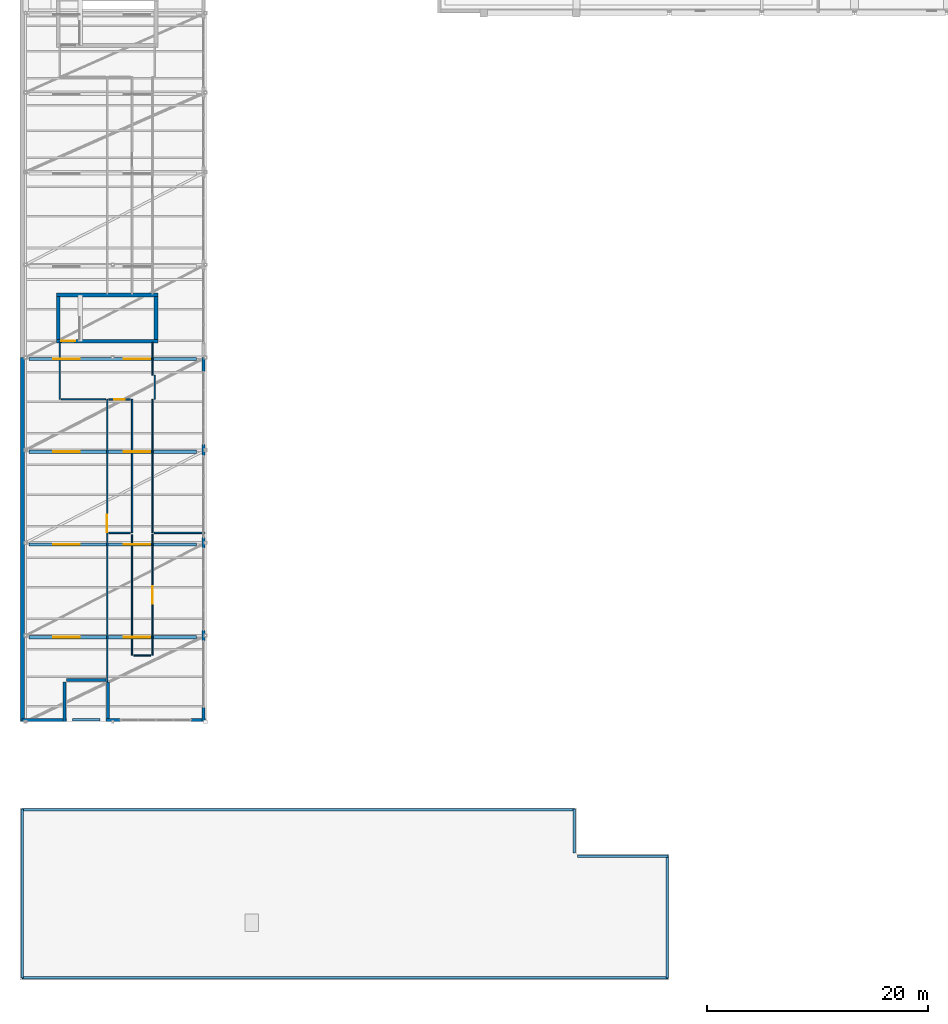
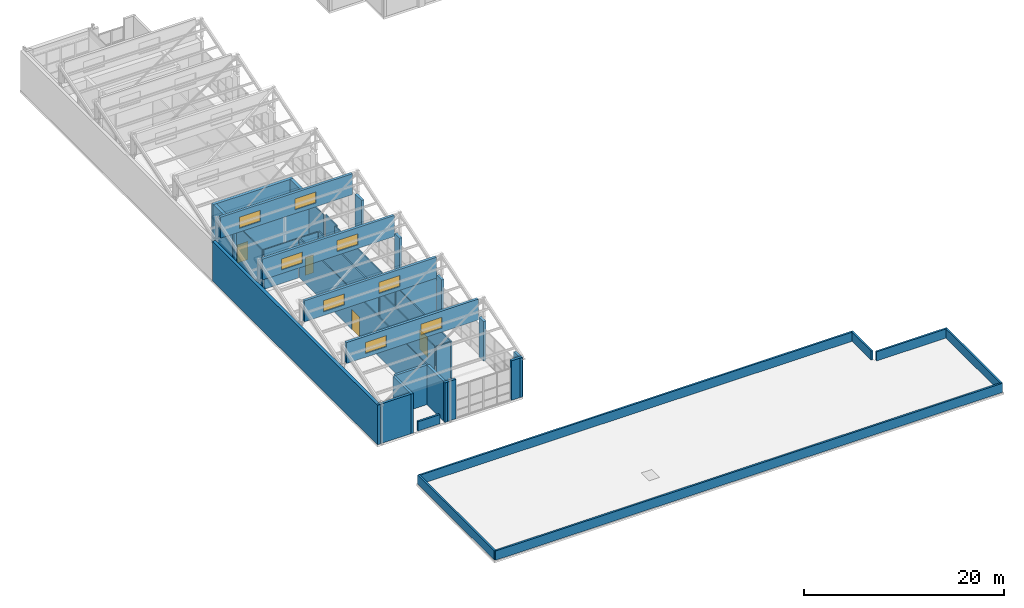
# One storey, part 26 of 34: 40 walls, 8 windows, 4 doors, 12 openings.
"""IFC4 building model written with IfcOpenShell, lengths in metres."""

from ifc_helpers import new_model, si_unit, direction, frame, frame_2d, origin, place, context, subcontext, project, spatial, rectangle, extrude, material, layer, layer_set, type_object, element, fill, save


model = new_model("IFC4")

# Units and contexts
model_context = context("Model", 3, precision=1e-05, world=origin(), true_north=direction((0.0, 1.0)))
body_context = subcontext(model_context, "Body", "Model", "MODEL_VIEW")
ifc_project = project(units=[si_unit("LENGTHUNIT", "METRE"), si_unit("AREAUNIT", "SQUARE_METRE"), si_unit("VOLUMEUNIT", "CUBIC_METRE"), si_unit("PLANEANGLEUNIT", "RADIAN"), si_unit("MASSUNIT", "GRAM", prefix="KILO")], contexts=[model_context])

# Site, building, storey
site_placement = place(None, origin())
site = spatial("IfcSite", under=ifc_project, at=site_placement, CompositionType="ELEMENT")
building_placement = place(site_placement, origin())
building = spatial("IfcBuilding", under=site, at=building_placement, Name="Quendrovan Civic Courthouse", CompositionType="ELEMENT")
storey_placement = place(building_placement, frame((0.0, 0.0, 25.5)))
storey = spatial("IfcBuildingStorey", under=building, at=storey_placement, Name="L06", CompositionType="ELEMENT", Elevation=25.5)

# Wall
ifc_material_1 = material(Name="Acoustic gypsum stud partition")
ifc_layer_1 = layer(ifc_material_1, 0.139892578125, Name="Acoustic gypsum stud partition")
ifc_layer_set_1 = layer_set([ifc_layer_1], Name="Acoustic gypsum stud partition")
wall_type_1 = type_object("IfcWallType", Name="WL-CHM-140", PredefinedType="PARTITIONING", material=ifc_layer_set_1)
wall_1_placement = place(storey_placement, frame((10.14990234375, 52.60009765625, 0.0), z_axis=(0.0, 0.0, 1.0), x_axis=(0.0, -1.0, 0.0)))
element("IfcWall", 1, at=wall_1_placement, inside=storey, type_object=wall_type_1, Name="L06 Family Social Services Suite Partition 0759", PredefinedType="PARTITIONING", context=body_context, shape_type="SweptSolid", body=[
    extrude(rectangle(XDim=12.10009765625, YDim=0.139892578125, at=frame_2d((6.050048828125, 0.0))), origin(), (0.0, 0.0, 1.0), 4.820068359375),
])

# Wall, opening, door
wall_2_placement = place(storey_placement, frame((8.0400390625, 52.60009765625, 0.0), z_axis=(0.0, 0.0, 1.0), x_axis=(1.0, 0.0, 0.0)))
wall_2 = element("IfcWall", 2, at=wall_2_placement, inside=storey, type_object=wall_type_1, Name="L06 Family Social Services Suite Partition 0809", PredefinedType="PARTITIONING", context=body_context, shape_type="SweptSolid", body=[
    extrude(rectangle(XDim=1.9599609375, YDim=0.139892578125, at=frame_2d((0.97998046875, 0.0))), origin(), (0.0, 0.0, 1.0), 4.820068359375),
])
opening_1_placement = place(wall_2_placement, frame((0.510009765625, 0.0, 0.0)))
opening_1 = element("IfcOpeningElement", 3, at=opening_1_placement, cuts=wall_2, Name="Opening D-L06-108", PredefinedType="OPENING", context=body_context, shape_type="SweptSolid", body=[
    extrude(rectangle(XDim=0.93994140625, YDim=2.179931640625, at=frame_2d((0.469970703125, 1.08984375))), frame((0.0, 0.080078125, 0.0), z_axis=(0.0, -1.0, 0.0), x_axis=(1.0, 0.0, 0.0)), (0.0, 0.0, 1.0), 0.159912109375),
])
ifc_material_2 = material(Name="Solid core timber office door", Category="wood")
door_type_1 = type_object("IfcDoorType", Name="DR-OFF-940", OperationType="NOTDEFINED", PredefinedType="DOOR", material=ifc_material_2)
door_1_placement = place(opening_1_placement, origin())
door_1 = element("IfcDoor", 4, at=door_1_placement, inside=storey, type_object=door_type_1, Name="L06 Family Social Services Suite Door D-L06-108", OperationType="SINGLE_SWING_LEFT", OverallHeight=2.179931640625, OverallWidth=0.93994140625, PredefinedType="DOOR", context=body_context, shape_type="SweptSolid", body=[
    extrude(rectangle(XDim=0.93994140625, YDim=2.179931640625, at=frame_2d((0.469970703125, 1.08984375))), frame((0.0, 0.02490234375, 0.0), z_axis=(0.0, -1.0, 0.0), x_axis=(1.0, 0.0, 0.0)), (0.0, 0.0, 1.0), 0.050048828125),
])
fill(opening_1, door_1)

ifc_material_3 = material(Name="Concrete C45/55", Category="concrete")
ifc_layer_2 = layer(ifc_material_3, 0.35009765625, Name="Concrete C45/55")
ifc_layer_set_2 = layer_set([ifc_layer_2], Name="Concrete C45/55")
wall_type_2 = type_object("IfcWallType", Name="WL-CORE-350", PredefinedType="SHEAR", material=ifc_layer_set_2)
wall_3_placement = place(storey_placement, frame((3.2900390625, 57.864990234375, 0.0), z_axis=(0.0, 0.0, 1.0), x_axis=(1.0, 0.0, 0.0)))
wall_3 = element("IfcWall", 5, at=wall_3_placement, inside=storey, type_object=wall_type_2, Name="L06 Core Shear Wall ST4-S", PredefinedType="SHEAR", context=body_context, shape_type="SweptSolid", body=[
    extrude(rectangle(XDim=9.219970703125, YDim=0.35009765625, at=frame_2d((4.60986328125, 0.0))), origin(), (0.0, 0.0, 1.0), 4.820068359375),
])
opening_2_placement = place(wall_3_placement, frame((0.449951171875, 0.0, 0.0)))
opening_2 = element("IfcOpeningElement", 6, at=opening_2_placement, cuts=wall_3, Name="Opening DS-ST4-L06", PredefinedType="OPENING", context=body_context, shape_type="SweptSolid", body=[
    extrude(rectangle(XDim=1.25, YDim=2.199951171875, at=frame_2d((0.625, 1.10009765625))), frame((0.0, 0.18505859375, 0.0), z_axis=(0.0, -1.0, 0.0), x_axis=(1.0, 0.0, 0.0)), (0.0, 0.0, 1.0), 0.3701171875),
])
ifc_material_4 = material(Name="Painted galvanized hollow-metal steel", Category="steel")
door_type_2 = type_object("IfcDoorType", Name="DR-STAIR-1250", OperationType="NOTDEFINED", PredefinedType="DOOR", material=ifc_material_4)
door_2_placement = place(opening_2_placement, origin())
door_2 = element("IfcDoor", 7, at=door_2_placement, inside=storey, type_object=door_type_2, Name="L06 Exit Stair ST4 Fire Door", OperationType="SINGLE_SWING_LEFT", OverallHeight=2.199951171875, OverallWidth=1.25, PredefinedType="DOOR", context=body_context, shape_type="SweptSolid", body=[
    extrude(rectangle(XDim=1.25, YDim=2.199951171875, at=frame_2d((0.625, 1.10009765625))), frame((0.0, 0.02490234375, 0.0), z_axis=(0.0, -1.0, 0.0), x_axis=(1.0, 0.0, 0.0)), (0.0, 0.0, 1.0), 0.050048828125),
])
fill(opening_2, door_2)

# Walls
wall_4_placement = place(storey_placement, frame((12.510009765625, 62.034912109375, 0.0), z_axis=(0.0, 0.0, 1.0), x_axis=(-1.0, 0.0, 0.0)))
element("IfcWall", 8, at=wall_4_placement, inside=storey, type_object=wall_type_2, Name="L06 Core Shear Wall ST4-N", PredefinedType="SHEAR", context=body_context, shape_type="SweptSolid", body=[
    extrude(rectangle(XDim=9.219970703125, YDim=0.35009765625, at=frame_2d((4.60986328125, 0.0))), origin(), (0.0, 0.0, 1.0), 4.820068359375),
])
for number, where, z_axis, x_axis, name in (
    (9, (3.465087890625, 58.0, 0.0), (0.0, 0.0, 1.0), (0.0, 1.0, 0.0), "L06 Core Shear Wall ST4-W"),
    (10, (12.3349609375, 61.89990234375, 0.0), (0.0, 0.0, 1.0), (0.0, -1.0, 0.0), "L06 Core Shear Wall ST4-E"),
):
    element("IfcWall", number, at=place(storey_placement, frame(where, z_axis=z_axis, x_axis=x_axis)), inside=storey, type_object=wall_type_2, Name=name, PredefinedType="SHEAR", context=body_context, shape_type="SweptSolid", body=[
        extrude(rectangle(XDim=3.89990234375, YDim=0.35009765625, at=frame_2d((1.949951171875, 0.0))), origin(), (0.0, 0.0, 1.0), 4.820068359375),
    ])
ifc_material_5 = material(Name="Precast concrete C45/55", Category="concrete")
ifc_layer_3 = layer(ifc_material_5, 0.2900390625, Name="Precast concrete C45/55")
ifc_layer_set_3 = layer_set([ifc_layer_3], Name="Precast concrete C45/55")
wall_type_3 = type_object("IfcWallType", Name="WL-EXT-PC290", PredefinedType="SOLIDWALL", material=ifc_layer_set_3)
wall_5_placement = place(storey_placement, frame((16.635009765625, 56.39990234375, 0.0), z_axis=(0.0, 0.0, 1.0), x_axis=(0.0, -1.0, 0.0)))
element("IfcWall", 11, at=wall_5_placement, inside=storey, type_object=wall_type_3, Name="L06 Exterior Pier Wall 480", PredefinedType="SOLIDWALL", context=body_context, shape_type="SweptSolid", body=[
    extrude(rectangle(XDim=1.2998046875, YDim=0.2900390625, at=frame_2d((0.64990234375, 0.0))), origin(), (0.0, 0.0, 1.0), 4.820068359375),
])
wall_6_placement = place(storey_placement, frame((16.635009765625, 48.5, 0.0), z_axis=(0.0, 0.0, 1.0), x_axis=(0.0, -1.0, 0.0)))
element("IfcWall", 12, at=wall_6_placement, inside=storey, type_object=wall_type_3, Name="L06 Exterior Pier Wall 481", PredefinedType="SOLIDWALL", context=body_context, shape_type="SweptSolid", body=[
    extrude(rectangle(XDim=1.0, YDim=0.2900390625, at=frame_2d((0.5, 0.0))), origin(), (0.0, 0.0, 1.0), 4.820068359375),
])
wall_7_placement = place(storey_placement, frame((16.635009765625, 40.08642578125, 0.0), z_axis=(0.0, 0.0, 1.0), x_axis=(0.0, -1.0, 0.0)))
element("IfcWall", 13, at=wall_7_placement, inside=storey, type_object=wall_type_3, Name="L06 Exterior Pier Wall 482", PredefinedType="SOLIDWALL", context=body_context, shape_type="SweptSolid", body=[
    extrude(rectangle(XDim=0.972900390625, YDim=0.2900390625, at=frame_2d((0.486328125, 0.0))), origin(), (0.0, 0.0, 1.0), 4.820068359375),
])
wall_8_placement = place(storey_placement, frame((16.635009765625, 31.675048828125, 0.0), z_axis=(0.0, 0.0, 1.0), x_axis=(0.0, -1.0, 0.0)))
element("IfcWall", 14, at=wall_8_placement, inside=storey, type_object=wall_type_3, Name="L06 Exterior Pier Wall 483", PredefinedType="SOLIDWALL", context=body_context, shape_type="SweptSolid", body=[
    extrude(rectangle(XDim=0.949951171875, YDim=0.2900390625, at=frame_2d((0.47509765625, 0.0))), origin(), (0.0, 0.0, 1.0), 4.820068359375),
])
for number, where, z_axis, x_axis, name in (
    (15, (16.635009765625, 24.699951171875, 0.0), (0.0, 0.0, 1.0), (0.0, -1.0, 0.0), "L06 Exterior Pier Wall 484"),
    (16, (16.800048828125, 23.56494140625, 0.0), (0.0, 0.0, 1.0), (-1.0, 0.0, 0.0), "L06 Exterior Pier Wall 485"),
    (17, (9.10009765625, 23.56494140625, 0.0), (0.0, 0.0, 1.0), (-1.0, 0.0, 0.0), "L06 Exterior Pier Wall 486"),
):
    element("IfcWall", number, at=place(storey_placement, frame(where, z_axis=z_axis, x_axis=x_axis)), inside=storey, type_object=wall_type_3, Name=name, PredefinedType="SOLIDWALL", context=body_context, shape_type="SweptSolid", body=[
        extrude(rectangle(XDim=1.300048828125, YDim=0.2900390625, at=frame_2d((0.64990234375, 0.0))), origin(), (0.0, 0.0, 1.0), 4.820068359375),
    ])
for number, where, z_axis, x_axis, name in (
    (18, (7.965087890625, 23.39990234375, 0.0), (0.0, 0.0, 1.0), (0.0, 1.0, 0.0), "L06 Exterior Civic Portal Wall 487"),
    (19, (7.800048828125, 27.1650390625, 0.0), (0.0, 0.0, 1.0), (-1.0, 0.0, 0.0), "L06 Exterior Civic Portal Wall 488"),
    (20, (4.034912109375, 27.0, 0.0), (0.0, 0.0, 1.0), (0.0, -1.0, 0.0), "L06 Exterior Civic Portal Wall 489"),
):
    element("IfcWall", number, at=place(storey_placement, frame(where, z_axis=z_axis, x_axis=x_axis)), inside=storey, type_object=wall_type_3, Name=name, PredefinedType="SOLIDWALL", context=body_context, shape_type="SweptSolid", body=[
        extrude(rectangle(XDim=3.60009765625, YDim=0.2900390625, at=frame_2d((1.800048828125, 0.0))), origin(), (0.0, 0.0, 1.0), 4.820068359375),
    ])
wall_9_placement = place(storey_placement, frame((4.199951171875, 23.56494140625, 0.0), z_axis=(0.0, 0.0, 1.0), x_axis=(-1.0, 0.0, 0.0)))
element("IfcWall", 21, at=wall_9_placement, inside=storey, type_object=wall_type_3, Name="L06 Exterior Civic Portal Wall 490", PredefinedType="SOLIDWALL", context=body_context, shape_type="SweptSolid", body=[
    extrude(rectangle(XDim=4.02490234375, YDim=0.2900390625, at=frame_2d((2.012451171875, 0.0))), origin(), (0.0, 0.0, 1.0), 4.820068359375),
])

# Wall, openings, windows
wall_10_placement = place(storey_placement, frame((0.800048828125, 31.050048828125, 5.10009765625), z_axis=(0.0, 0.0, 1.0), x_axis=(1.0, 0.0, 0.0)))
wall_10 = element("IfcWall", 22, at=wall_10_placement, inside=storey, type_object=wall_type_3, Name="Sawtooth North-Light Clerestory Wall Bay 1", PredefinedType="SOLIDWALL", context=body_context, shape_type="SweptSolid", body=[
    extrude(rectangle(XDim=15.199951171875, YDim=0.2900390625, at=frame_2d((7.60009765625, 0.0))), origin(), (0.0, 0.0, 1.0), 2.5498046875),
])
opening_3_placement = place(wall_10_placement, frame((2.199951171875, 0.0, 0.449951171875)))
opening_3 = element("IfcOpeningElement", 23, at=opening_3_placement, cuts=wall_10, Name="Opening WCL1", PredefinedType="OPENING", context=body_context, shape_type="SweptSolid", body=[
    extrude(rectangle(XDim=2.39990234375, YDim=1.35009765625, at=frame_2d((1.199951171875, 0.675048828125))), frame((0.0, 0.155029296875, 0.0), z_axis=(0.0, -1.0, 0.0), x_axis=(1.0, 0.0, 0.0)), (0.0, 0.0, 1.0), 0.31005859375),
])
opening_4_placement = place(wall_10_placement, frame((8.60009765625, 0.0, 0.449951171875)))
opening_4 = element("IfcOpeningElement", 24, at=opening_4_placement, cuts=wall_10, Name="Opening WCL1", PredefinedType="OPENING", context=body_context, shape_type="SweptSolid", body=[
    extrude(rectangle(XDim=2.39990234375, YDim=1.35009765625, at=frame_2d((1.199951171875, 0.675048828125))), frame((0.0, 0.155029296875, 0.0), z_axis=(0.0, -1.0, 0.0), x_axis=(1.0, 0.0, 0.0)), (0.0, 0.0, 1.0), 0.31005859375),
])
ifc_material_6 = material(Name="Laminated hurricane-impact low-E glass", Category="glass")
window_type = type_object("IfcWindowType", Name="WIN-CLER-SAW", PartitioningType="DOUBLE_PANEL_VERTICAL", PredefinedType="WINDOW", material=ifc_material_6)
window_1_placement = place(opening_3_placement, origin())
window_1 = element("IfcWindow", 25, at=window_1_placement, inside=storey, type_object=window_type, Name="Law Library Sawtooth North-Light Clerestory Window B1-1", OverallHeight=1.35009765625, OverallWidth=2.39990234375, PartitioningType="SINGLE_PANEL", PredefinedType="WINDOW", context=body_context, shape_type="SweptSolid", body=[
    extrude(rectangle(XDim=2.39990234375, YDim=1.35009765625, at=frame_2d((1.199951171875, 0.675048828125))), frame((0.0, 0.030029296875, 0.0), z_axis=(0.0, -1.0, 0.0), x_axis=(1.0, 0.0, 0.0)), (0.0, 0.0, 1.0), 0.06005859375),
])
fill(opening_3, window_1)
window_2_placement = place(opening_4_placement, origin())
window_2 = element("IfcWindow", 26, at=window_2_placement, inside=storey, type_object=window_type, Name="Law Library Sawtooth North-Light Clerestory Window B1-2", OverallHeight=1.35009765625, OverallWidth=2.39990234375, PartitioningType="SINGLE_PANEL", PredefinedType="WINDOW", context=body_context, shape_type="SweptSolid", body=[
    extrude(rectangle(XDim=2.39990234375, YDim=1.35009765625, at=frame_2d((1.199951171875, 0.675048828125))), frame((0.0, 0.030029296875, 0.0), z_axis=(0.0, -1.0, 0.0), x_axis=(1.0, 0.0, 0.0)), (0.0, 0.0, 1.0), 0.06005859375),
])
fill(opening_4, window_2)

wall_11_placement = place(storey_placement, frame((0.800048828125, 39.449951171875, 5.10009765625), z_axis=(0.0, 0.0, 1.0), x_axis=(1.0, 0.0, 0.0)))
wall_11 = element("IfcWall", 27, at=wall_11_placement, inside=storey, type_object=wall_type_3, Name="Sawtooth North-Light Clerestory Wall Bay 2", PredefinedType="SOLIDWALL", context=body_context, shape_type="SweptSolid", body=[
    extrude(rectangle(XDim=15.199951171875, YDim=0.2900390625, at=frame_2d((7.60009765625, 0.0))), origin(), (0.0, 0.0, 1.0), 2.5498046875),
])
opening_5_placement = place(wall_11_placement, frame((2.199951171875, 0.0, 0.449951171875)))
opening_5 = element("IfcOpeningElement", 28, at=opening_5_placement, cuts=wall_11, Name="Opening WCL1", PredefinedType="OPENING", context=body_context, shape_type="SweptSolid", body=[
    extrude(rectangle(XDim=2.39990234375, YDim=1.35009765625, at=frame_2d((1.199951171875, 0.675048828125))), frame((0.0, 0.155029296875, 0.0), z_axis=(0.0, -1.0, 0.0), x_axis=(1.0, 0.0, 0.0)), (0.0, 0.0, 1.0), 0.31005859375),
])
opening_6_placement = place(wall_11_placement, frame((8.60009765625, 0.0, 0.449951171875)))
opening_6 = element("IfcOpeningElement", 29, at=opening_6_placement, cuts=wall_11, Name="Opening WCL1", PredefinedType="OPENING", context=body_context, shape_type="SweptSolid", body=[
    extrude(rectangle(XDim=2.39990234375, YDim=1.35009765625, at=frame_2d((1.199951171875, 0.675048828125))), frame((0.0, 0.155029296875, 0.0), z_axis=(0.0, -1.0, 0.0), x_axis=(1.0, 0.0, 0.0)), (0.0, 0.0, 1.0), 0.31005859375),
])
window_3_placement = place(opening_5_placement, origin())
window_3 = element("IfcWindow", 30, at=window_3_placement, inside=storey, type_object=window_type, Name="Law Library Sawtooth North-Light Clerestory Window B2-1", OverallHeight=1.35009765625, OverallWidth=2.39990234375, PartitioningType="SINGLE_PANEL", PredefinedType="WINDOW", context=body_context, shape_type="SweptSolid", body=[
    extrude(rectangle(XDim=2.39990234375, YDim=1.35009765625, at=frame_2d((1.199951171875, 0.675048828125))), frame((0.0, 0.030029296875, 0.0), z_axis=(0.0, -1.0, 0.0), x_axis=(1.0, 0.0, 0.0)), (0.0, 0.0, 1.0), 0.06005859375),
])
fill(opening_5, window_3)
window_4_placement = place(opening_6_placement, origin())
window_4 = element("IfcWindow", 31, at=window_4_placement, inside=storey, type_object=window_type, Name="Law Library Sawtooth North-Light Clerestory Window B2-2", OverallHeight=1.35009765625, OverallWidth=2.39990234375, PartitioningType="SINGLE_PANEL", PredefinedType="WINDOW", context=body_context, shape_type="SweptSolid", body=[
    extrude(rectangle(XDim=2.39990234375, YDim=1.35009765625, at=frame_2d((1.199951171875, 0.675048828125))), frame((0.0, 0.030029296875, 0.0), z_axis=(0.0, -1.0, 0.0), x_axis=(1.0, 0.0, 0.0)), (0.0, 0.0, 1.0), 0.06005859375),
])
fill(opening_6, window_4)

wall_12_placement = place(storey_placement, frame((0.800048828125, 47.85009765625, 5.10009765625), z_axis=(0.0, 0.0, 1.0), x_axis=(1.0, 0.0, 0.0)))
wall_12 = element("IfcWall", 32, at=wall_12_placement, inside=storey, type_object=wall_type_3, Name="Sawtooth North-Light Clerestory Wall Bay 3", PredefinedType="SOLIDWALL", context=body_context, shape_type="SweptSolid", body=[
    extrude(rectangle(XDim=15.199951171875, YDim=0.2900390625, at=frame_2d((7.60009765625, 0.0))), origin(), (0.0, 0.0, 1.0), 2.5498046875),
])
opening_7_placement = place(wall_12_placement, frame((2.199951171875, 0.0, 0.449951171875)))
opening_7 = element("IfcOpeningElement", 33, at=opening_7_placement, cuts=wall_12, Name="Opening WCL1", PredefinedType="OPENING", context=body_context, shape_type="SweptSolid", body=[
    extrude(rectangle(XDim=2.39990234375, YDim=1.35009765625, at=frame_2d((1.199951171875, 0.675048828125))), frame((0.0, 0.155029296875, 0.0), z_axis=(0.0, -1.0, 0.0), x_axis=(1.0, 0.0, 0.0)), (0.0, 0.0, 1.0), 0.31005859375),
])
opening_8_placement = place(wall_12_placement, frame((8.60009765625, 0.0, 0.449951171875)))
opening_8 = element("IfcOpeningElement", 34, at=opening_8_placement, cuts=wall_12, Name="Opening WCL1", PredefinedType="OPENING", context=body_context, shape_type="SweptSolid", body=[
    extrude(rectangle(XDim=2.39990234375, YDim=1.35009765625, at=frame_2d((1.199951171875, 0.675048828125))), frame((0.0, 0.155029296875, 0.0), z_axis=(0.0, -1.0, 0.0), x_axis=(1.0, 0.0, 0.0)), (0.0, 0.0, 1.0), 0.31005859375),
])
window_5_placement = place(opening_7_placement, origin())
window_5 = element("IfcWindow", 35, at=window_5_placement, inside=storey, type_object=window_type, Name="Law Library Sawtooth North-Light Clerestory Window B3-1", OverallHeight=1.35009765625, OverallWidth=2.39990234375, PartitioningType="SINGLE_PANEL", PredefinedType="WINDOW", context=body_context, shape_type="SweptSolid", body=[
    extrude(rectangle(XDim=2.39990234375, YDim=1.35009765625, at=frame_2d((1.199951171875, 0.675048828125))), frame((0.0, 0.030029296875, 0.0), z_axis=(0.0, -1.0, 0.0), x_axis=(1.0, 0.0, 0.0)), (0.0, 0.0, 1.0), 0.06005859375),
])
fill(opening_7, window_5)
window_6_placement = place(opening_8_placement, origin())
window_6 = element("IfcWindow", 36, at=window_6_placement, inside=storey, type_object=window_type, Name="Law Library Sawtooth North-Light Clerestory Window B3-2", OverallHeight=1.35009765625, OverallWidth=2.39990234375, PartitioningType="SINGLE_PANEL", PredefinedType="WINDOW", context=body_context, shape_type="SweptSolid", body=[
    extrude(rectangle(XDim=2.39990234375, YDim=1.35009765625, at=frame_2d((1.199951171875, 0.675048828125))), frame((0.0, 0.030029296875, 0.0), z_axis=(0.0, -1.0, 0.0), x_axis=(1.0, 0.0, 0.0)), (0.0, 0.0, 1.0), 0.06005859375),
])
fill(opening_8, window_6)

wall_13_placement = place(storey_placement, frame((0.800048828125, 56.25, 5.10009765625), z_axis=(0.0, 0.0, 1.0), x_axis=(1.0, 0.0, 0.0)))
wall_13 = element("IfcWall", 37, at=wall_13_placement, inside=storey, type_object=wall_type_3, Name="Sawtooth North-Light Clerestory Wall Bay 4", PredefinedType="SOLIDWALL", context=body_context, shape_type="SweptSolid", body=[
    extrude(rectangle(XDim=15.199951171875, YDim=0.2900390625, at=frame_2d((7.60009765625, 0.0))), origin(), (0.0, 0.0, 1.0), 2.5498046875),
])
opening_9_placement = place(wall_13_placement, frame((2.199951171875, 0.0, 0.449951171875)))
opening_9 = element("IfcOpeningElement", 38, at=opening_9_placement, cuts=wall_13, Name="Opening WCL1", PredefinedType="OPENING", context=body_context, shape_type="SweptSolid", body=[
    extrude(rectangle(XDim=2.39990234375, YDim=1.35009765625, at=frame_2d((1.199951171875, 0.675048828125))), frame((0.0, 0.155029296875, 0.0), z_axis=(0.0, -1.0, 0.0), x_axis=(1.0, 0.0, 0.0)), (0.0, 0.0, 1.0), 0.31005859375),
])
opening_10_placement = place(wall_13_placement, frame((8.60009765625, 0.0, 0.449951171875)))
opening_10 = element("IfcOpeningElement", 39, at=opening_10_placement, cuts=wall_13, Name="Opening WCL1", PredefinedType="OPENING", context=body_context, shape_type="SweptSolid", body=[
    extrude(rectangle(XDim=2.39990234375, YDim=1.35009765625, at=frame_2d((1.199951171875, 0.675048828125))), frame((0.0, 0.155029296875, 0.0), z_axis=(0.0, -1.0, 0.0), x_axis=(1.0, 0.0, 0.0)), (0.0, 0.0, 1.0), 0.31005859375),
])
window_7_placement = place(opening_9_placement, origin())
window_7 = element("IfcWindow", 40, at=window_7_placement, inside=storey, type_object=window_type, Name="Law Library Sawtooth North-Light Clerestory Window B4-1", OverallHeight=1.35009765625, OverallWidth=2.39990234375, PartitioningType="SINGLE_PANEL", PredefinedType="WINDOW", context=body_context, shape_type="SweptSolid", body=[
    extrude(rectangle(XDim=2.39990234375, YDim=1.35009765625, at=frame_2d((1.199951171875, 0.675048828125))), frame((0.0, 0.030029296875, 0.0), z_axis=(0.0, -1.0, 0.0), x_axis=(1.0, 0.0, 0.0)), (0.0, 0.0, 1.0), 0.06005859375),
])
fill(opening_9, window_7)
window_8_placement = place(opening_10_placement, origin())
window_8 = element("IfcWindow", 41, at=window_8_placement, inside=storey, type_object=window_type, Name="Law Library Sawtooth North-Light Clerestory Window B4-2", OverallHeight=1.35009765625, OverallWidth=2.39990234375, PartitioningType="SINGLE_PANEL", PredefinedType="WINDOW", context=body_context, shape_type="SweptSolid", body=[
    extrude(rectangle(XDim=2.39990234375, YDim=1.35009765625, at=frame_2d((1.199951171875, 0.675048828125))), frame((0.0, 0.030029296875, 0.0), z_axis=(0.0, -1.0, 0.0), x_axis=(1.0, 0.0, 0.0)), (0.0, 0.0, 1.0), 0.06005859375),
])
fill(opening_10, window_8)

# Wall, opening, door
ifc_material_7 = material(Name="Acoustic glazed-head stud partition")
ifc_layer_4 = layer(ifc_material_7, 0.1201171875, Name="Acoustic glazed-head stud partition")
ifc_layer_set_4 = layer_set([ifc_layer_4], Name="Acoustic glazed-head stud partition")
wall_type_4 = type_object("IfcWallType", Name="WL-LIB-120", PredefinedType="PARTITIONING", material=ifc_layer_set_4)
wall_14_placement = place(storey_placement, frame((7.89990234375, 52.60009765625, 0.0), z_axis=(0.0, 0.0, 1.0), x_axis=(0.0, -1.0, 0.0)))
wall_14 = element("IfcWall", 42, at=wall_14_placement, inside=storey, type_object=wall_type_4, Name="L06 Sawtooth Law Library Reading Room Partition 0753", PredefinedType="PARTITIONING", context=body_context, shape_type="SweptSolid", body=[
    extrude(rectangle(XDim=25.580078125, YDim=0.1201171875, at=frame_2d((12.7900390625, 0.0))), origin(), (0.0, 0.0, 1.0), 4.820068359375),
])
opening_11_placement = place(wall_14_placement, frame((10.47509765625, 0.0, 0.0)))
opening_11 = element("IfcOpeningElement", 43, at=opening_11_placement, cuts=wall_14, Name="Opening D-L06-105", PredefinedType="OPENING", context=body_context, shape_type="SweptSolid", body=[
    extrude(rectangle(XDim=1.56005859375, YDim=2.43994140625, at=frame_2d((0.780029296875, 1.219970703125))), frame((0.0, 0.070068359375, 0.0), z_axis=(0.0, -1.0, 0.0), x_axis=(1.0, 0.0, 0.0)), (0.0, 0.0, 1.0), 0.14013671875),
])
ifc_material_8 = material(Name="Bronze-anodised aluminium acoustic glass door", Category="aluminium")
door_type_3 = type_object("IfcDoorType", Name="DR-LIB-1560", OperationType="NOTDEFINED", PredefinedType="DOOR", material=ifc_material_8)
door_3_placement = place(opening_11_placement, origin())
door_3 = element("IfcDoor", 44, at=door_3_placement, inside=storey, type_object=door_type_3, Name="L06 Sawtooth Law Library Reading Room Door D-L06-105", OperationType="SINGLE_SWING_RIGHT", OverallHeight=2.43994140625, OverallWidth=1.56005859375, PredefinedType="DOOR", context=body_context, shape_type="SweptSolid", body=[
    extrude(rectangle(XDim=1.56005859375, YDim=2.43994140625, at=frame_2d((0.780029296875, 1.219970703125))), frame((0.0, 0.02490234375, 0.0), z_axis=(0.0, -1.0, 0.0), x_axis=(1.0, 0.0, 0.0)), (0.0, 0.0, 1.0), 0.050048828125),
])
fill(opening_11, door_3)

# Walls
wall_15_placement = place(storey_placement, frame((12.0, 40.5, 0.0), z_axis=(0.0, 0.0, 1.0), x_axis=(0.0, 1.0, 0.0)))
element("IfcWall", 45, at=wall_15_placement, inside=storey, type_object=wall_type_4, Name="L06 Compact Archive and Rare Treatises Vault Partition 0758", PredefinedType="PARTITIONING", context=body_context, shape_type="SweptSolid", body=[
    extrude(rectangle(XDim=12.10009765625, YDim=0.1201171875, at=frame_2d((6.050048828125, 0.0))), origin(), (0.0, 0.0, 1.0), 4.820068359375),
])
wall_16_placement = place(storey_placement, frame((10.14990234375, 40.35009765625, 0.0), z_axis=(0.0, 0.0, 1.0), x_axis=(0.0, -1.0, 0.0)))
element("IfcWall", 46, at=wall_16_placement, inside=storey, type_object=wall_type_4, Name="L06 Law Library Study Carrels Partition 0761", PredefinedType="PARTITIONING", context=body_context, shape_type="SweptSolid", body=[
    extrude(rectangle(XDim=10.9501953125, YDim=0.1201171875, at=frame_2d((5.47509765625, 0.0))), origin(), (0.0, 0.0, 1.0), 4.820068359375),
])

# Wall, opening, door
wall_17_placement = place(storey_placement, frame((12.0, 29.39990234375, 0.0), z_axis=(0.0, 0.0, 1.0), x_axis=(0.0, 1.0, 0.0)))
wall_17 = element("IfcWall", 47, at=wall_17_placement, inside=storey, type_object=wall_type_4, Name="L06 Law Library Study Carrels Partition 0762", PredefinedType="PARTITIONING", context=body_context, shape_type="SweptSolid", body=[
    extrude(rectangle(XDim=10.960205078125, YDim=0.1201171875, at=frame_2d((5.47998046875, 0.0))), origin(), (0.0, 0.0, 1.0), 4.820068359375),
])
opening_12_placement = place(wall_17_placement, frame((4.699951171875, 0.0, 0.0)))
opening_12 = element("IfcOpeningElement", 48, at=opening_12_placement, cuts=wall_17, Name="Opening D-L06-106", PredefinedType="OPENING", context=body_context, shape_type="SweptSolid", body=[
    extrude(rectangle(XDim=1.56005859375, YDim=2.43994140625, at=frame_2d((0.780029296875, 1.219970703125))), frame((0.0, 0.070068359375, 0.0), z_axis=(0.0, -1.0, 0.0), x_axis=(1.0, 0.0, 0.0)), (0.0, 0.0, 1.0), 0.14013671875),
])
door_4_placement = place(opening_12_placement, origin())
door_4 = element("IfcDoor", 49, at=door_4_placement, inside=storey, type_object=door_type_3, Name="L06 Law Library Study Carrels Door D-L06-106", OperationType="SINGLE_SWING_LEFT", OverallHeight=2.43994140625, OverallWidth=1.56005859375, PredefinedType="DOOR", context=body_context, shape_type="SweptSolid", body=[
    extrude(rectangle(XDim=1.56005859375, YDim=2.43994140625, at=frame_2d((0.780029296875, 1.219970703125))), frame((0.0, 0.02490234375, 0.0), z_axis=(0.0, -1.0, 0.0), x_axis=(1.0, 0.0, 0.0)), (0.0, 0.0, 1.0), 0.050048828125),
])
fill(opening_12, door_4)

# Walls
wall_18_placement = place(storey_placement, frame((3.60009765625, 57.780029296875, 0.0), z_axis=(0.0, 0.0, 1.0), x_axis=(0.0, -1.0, 0.0)))
element("IfcWall", 50, at=wall_18_placement, inside=storey, type_object=wall_type_4, Name="L06 Sawtooth Law Library Reading Room Partition 0778", PredefinedType="PARTITIONING", context=body_context, shape_type="SweptSolid", body=[
    extrude(rectangle(XDim=5.179931640625, YDim=0.1201171875, at=frame_2d((2.58984375, 0.0))), origin(), (0.0, 0.0, 1.0), 4.820068359375),
])
wall_19_placement = place(storey_placement, frame((12.139892578125, 40.5, 0.0), z_axis=(0.0, 0.0, 1.0), x_axis=(1.0, 0.0, 0.0)))
element("IfcWall", 51, at=wall_19_placement, inside=storey, type_object=wall_type_4, Name="L06 Law Library Study Carrels Partition 0780", PredefinedType="PARTITIONING", context=body_context, shape_type="SweptSolid", body=[
    extrude(rectangle(XDim=4.60009765625, YDim=0.1201171875, at=frame_2d((2.300048828125, 0.0))), origin(), (0.0, 0.0, 1.0), 4.820068359375),
])
wall_20_placement = place(storey_placement, frame((3.739990234375, 52.60009765625, 0.0), z_axis=(0.0, 0.0, 1.0), x_axis=(1.0, 0.0, 0.0)))
element("IfcWall", 52, at=wall_20_placement, inside=storey, type_object=wall_type_4, Name="L06 Sawtooth Law Library Reading Room Partition 0784", PredefinedType="PARTITIONING", context=body_context, shape_type="SweptSolid", body=[
    extrude(rectangle(XDim=4.02001953125, YDim=0.1201171875, at=frame_2d((2.010009765625, 0.0))), origin(), (0.0, 0.0, 1.0), 4.820068359375),
])
wall_21_placement = place(storey_placement, frame((12.0, 54.800048828125, 0.0), z_axis=(0.0, 0.0, 1.0), x_axis=(0.0, 1.0, 0.0)))
element("IfcWall", 53, at=wall_21_placement, inside=storey, type_object=wall_type_4, Name="L06 Compact Archive and Rare Treatises Vault Partition 0797", PredefinedType="PARTITIONING", context=body_context, shape_type="SweptSolid", body=[
    extrude(rectangle(XDim=2.97998046875, YDim=0.1201171875, at=frame_2d((1.489990234375, 0.0))), origin(), (0.0, 0.0, 1.0), 4.820068359375),
])
wall_22_placement = place(storey_placement, frame((8.0400390625, 40.5, 0.0), z_axis=(0.0, 0.0, 1.0), x_axis=(1.0, 0.0, 0.0)))
element("IfcWall", 54, at=wall_22_placement, inside=storey, type_object=wall_type_4, Name="L06 Law Library Study Carrels Partition 0808", PredefinedType="PARTITIONING", context=body_context, shape_type="SweptSolid", body=[
    extrude(rectangle(XDim=1.9599609375, YDim=0.1201171875, at=frame_2d((0.97998046875, 0.0))), origin(), (0.0, 0.0, 1.0), 4.820068359375),
])
wall_23_placement = place(storey_placement, frame((12.199951171875, 52.60009765625, 0.0), z_axis=(0.0, 0.0, 1.0), x_axis=(0.0, 1.0, 0.0)))
element("IfcWall", 55, at=wall_23_placement, inside=storey, type_object=wall_type_4, Name="L06 Compact Archive and Rare Treatises Vault Partition 0811", PredefinedType="PARTITIONING", context=body_context, shape_type="SweptSolid", body=[
    extrude(rectangle(XDim=2.199951171875, YDim=0.1201171875, at=frame_2d((1.10009765625, 0.0))), origin(), (0.0, 0.0, 1.0), 4.820068359375),
])
wall_24_placement = place(storey_placement, frame((10.2900390625, 29.39990234375, 0.0), z_axis=(0.0, 0.0, 1.0), x_axis=(1.0, 0.0, 0.0)))
element("IfcWall", 56, at=wall_24_placement, inside=storey, type_object=wall_type_4, Name="L06 Law Library Study Carrels Partition 0814", PredefinedType="PARTITIONING", context=body_context, shape_type="SweptSolid", body=[
    extrude(rectangle(XDim=1.570068359375, YDim=0.1201171875, at=frame_2d((0.78515625, 0.0))), origin(), (0.0, 0.0, 1.0), 4.820068359375),
])
ifc_layer_5 = layer(ifc_material_5, 0.2099609375, Name="Precast concrete C45/55")
ifc_layer_set_5 = layer_set([ifc_layer_5], Name="Precast concrete C45/55")
wall_type_5 = type_object("IfcWallType", Name="WL-PARAPET-210", PredefinedType="PARAPET", material=ifc_layer_set_5)
wall_25_placement = place(storey_placement, frame((50.219970703125, 15.47998046875, 0.0), z_axis=(0.0, 0.0, 1.0), x_axis=(0.0, -1.0, 0.0)))
element("IfcWall", 57, at=wall_25_placement, inside=storey, type_object=wall_type_5, Name="L06 Precast Roof Parapet Wall 53", PredefinedType="PARAPET", context=body_context, shape_type="SweptSolid", body=[
    extrude(rectangle(XDim=3.9599609375, YDim=0.2099609375, at=frame_2d((1.97998046875, 0.0))), origin(), (0.0, 0.0, 1.0), 1.1201171875),
])
wall_26_placement = place(storey_placement, frame((50.52001953125, 11.219970703125, 0.0), z_axis=(0.0, 0.0, 1.0), x_axis=(1.0, 0.0, 0.0)))
element("IfcWall", 58, at=wall_26_placement, inside=storey, type_object=wall_type_5, Name="L06 Precast Roof Parapet Wall 54", PredefinedType="PARAPET", context=body_context, shape_type="SweptSolid", body=[
    extrude(rectangle(XDim=8.159912109375, YDim=0.2099609375, at=frame_2d((4.080078125, 0.0))), origin(), (0.0, 0.0, 1.0), 1.1201171875),
])
wall_27_placement = place(storey_placement, frame((58.6201171875, 11.280029296875, 0.0), z_axis=(0.0, 0.0, 1.0), x_axis=(0.0, -1.0, 0.0)))
element("IfcWall", 59, at=wall_27_placement, inside=storey, type_object=wall_type_5, Name="L06 Precast Roof Parapet Wall 55", PredefinedType="PARAPET", context=body_context, shape_type="SweptSolid", body=[
    extrude(rectangle(XDim=11.080078125, YDim=0.2099609375, at=frame_2d((5.5400390625, 0.0))), origin(), (0.0, 0.0, 1.0), 1.1201171875),
])
wall_28_placement = place(storey_placement, frame((58.679931640625, 0.199951171875, 0.0), z_axis=(0.0, 0.0, 1.0), x_axis=(-1.0, 0.0, 0.0)))
element("IfcWall", 60, at=wall_28_placement, inside=storey, type_object=wall_type_5, Name="L06 Precast Roof Parapet Wall 56", PredefinedType="PARAPET", context=body_context, shape_type="SweptSolid", body=[
    extrude(rectangle(XDim=58.47998046875, YDim=0.2099609375, at=frame_2d((29.239990234375, 0.0))), origin(), (0.0, 0.0, 1.0), 1.1201171875),
])
wall_29_placement = place(storey_placement, frame((0.199951171875, 0.199951171875, 0.0), z_axis=(0.0, 0.0, 1.0), x_axis=(0.0, 1.0, 0.0)))
element("IfcWall", 61, at=wall_29_placement, inside=storey, type_object=wall_type_5, Name="L06 Precast Roof Parapet Wall 57", PredefinedType="PARAPET", context=body_context, shape_type="SweptSolid", body=[
    extrude(rectangle(XDim=15.280029296875, YDim=0.2099609375, at=frame_2d((7.64013671875, 0.0))), origin(), (0.0, 0.0, 1.0), 1.1201171875),
])
wall_30_placement = place(storey_placement, frame((0.199951171875, 15.419921875, 0.0), z_axis=(0.0, 0.0, 1.0), x_axis=(1.0, 0.0, 0.0)))
element("IfcWall", 62, at=wall_30_placement, inside=storey, type_object=wall_type_5, Name="L06 Precast Roof Parapet Wall 58", PredefinedType="PARAPET", context=body_context, shape_type="SweptSolid", body=[
    extrude(rectangle(XDim=50.080078125, YDim=0.2099609375, at=frame_2d((25.0400390625, 0.0))), origin(), (0.0, 0.0, 1.0), 1.1201171875),
])
wall_31_placement = place(storey_placement, frame((7.260009765625, 23.580078125, 0.0), z_axis=(0.0, 0.0, 1.0), x_axis=(-1.0, 0.0, 0.0)))
element("IfcWall", 63, at=wall_31_placement, inside=storey, type_object=wall_type_5, Name="L06 Precast Roof Parapet Wall 59", PredefinedType="PARAPET", context=body_context, shape_type="SweptSolid", body=[
    extrude(rectangle(XDim=2.52001953125, YDim=0.2099609375, at=frame_2d((1.260009765625, 0.0))), origin(), (0.0, 0.0, 1.0), 1.1201171875),
])
ifc_material_9 = material(Name="Concrete C40/50", Category="concrete")
ifc_layer_6 = layer(ifc_material_9, 0.360107421875, Name="Concrete C40/50")
ifc_layer_set_6 = layer_set([ifc_layer_6], Name="Concrete C40/50")
wall_type_6 = type_object("IfcWallType", Name="WL-PARTY-360", PredefinedType="SOLIDWALL", material=ifc_layer_set_6)
wall_32_placement = place(storey_placement, frame((0.2099609375, 23.39990234375, 0.0), z_axis=(0.0, 0.0, 1.0), x_axis=(0.0, 1.0, 0.0)))
element("IfcWall", 64, at=wall_32_placement, inside=storey, type_object=wall_type_6, Name="L06 Fire-Rated Boundary Party Wall 491", PredefinedType="SOLIDWALL", context=body_context, shape_type="SweptSolid", body=[
    extrude(rectangle(XDim=33.0, YDim=0.360107421875, at=frame_2d((16.5, 0.0))), origin(), (0.0, 0.0, 1.0), 4.820068359375),
])

save(model, "model.ifc")
